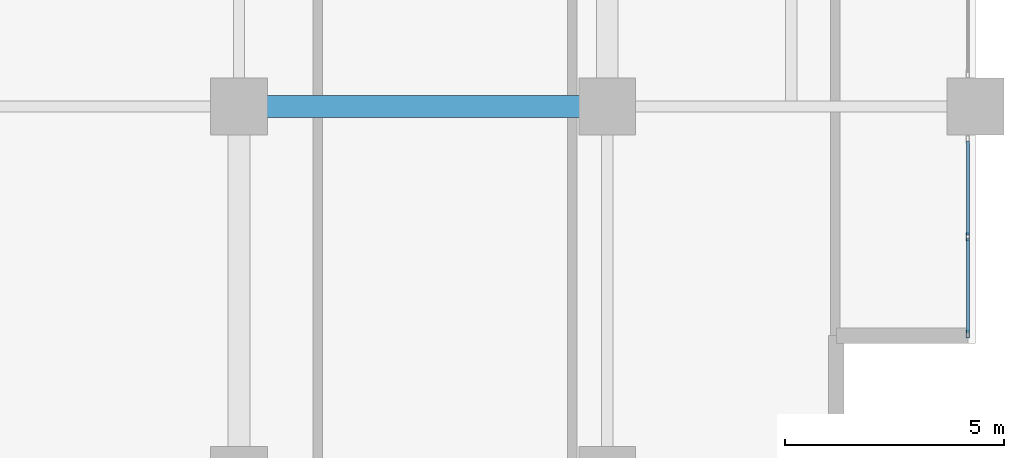
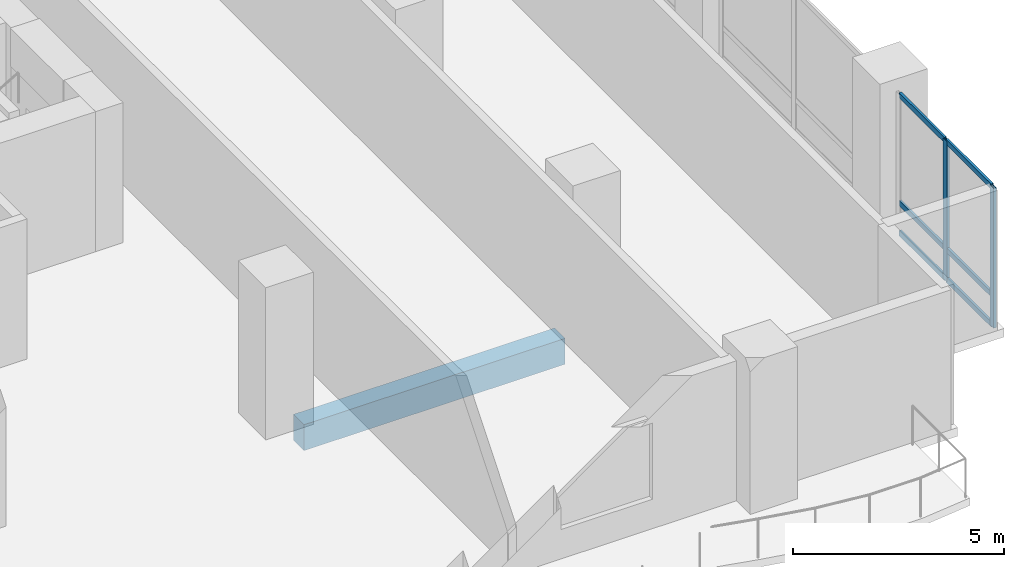
# One storey, part 3 of 24: 8 members, 1 beam, 1 element without a shape of its own.
"""IFC4 building model written with IfcOpenShell, lengths in metres."""

from ifc_helpers import new_model, si_unit, direction, frame, origin, origin_2d, place, context, subcontext, project, spatial, rectangle, hollow_rectangle, extrude, material, layer, layer_set, material_profile, profile_set, type_object, element, aggregate, save


model = new_model("IFC4")

# Units and contexts
model_context = context("Model", 3, precision=1e-05, world=origin(), true_north=direction((0.0, 1.0)))
body_context = subcontext(model_context, "Body", "Model", "MODEL_VIEW")
ifc_project = project(units=[si_unit("LENGTHUNIT", "METRE"), si_unit("AREAUNIT", "SQUARE_METRE"), si_unit("VOLUMEUNIT", "CUBIC_METRE"), si_unit("PLANEANGLEUNIT", "RADIAN"), si_unit("MASSUNIT", "GRAM", prefix="KILO")], contexts=[model_context])

# Site, building, storey
site_placement = place(None, origin())
site = spatial("IfcSite", under=ifc_project, at=site_placement, CompositionType="ELEMENT")
building_placement = place(site_placement, origin())
building = spatial("IfcBuilding", under=site, at=building_placement, Name="Koriwani Terraces Tower", CompositionType="ELEMENT")
storey_placement = place(building_placement, frame((0.0, 0.0, 89.60009765625)))
storey = spatial("IfcBuildingStorey", under=building, at=storey_placement, Name="L21", CompositionType="ELEMENT", Elevation=89.60009765625)

# Beam
ifc_material_1 = material(Name="Concrete C50/60", Category="concrete")
ifc_material_profile_1 = material_profile(ifc_material_1, rectangle(XDim=0.5, YDim=0.75, at=origin_2d()), Name="Concrete C50/60", Category="LoadBearing")
ifc_profile_set_1 = profile_set([ifc_material_profile_1], Name="Concrete C50/60")
beam_type = type_object("IfcBeamType", Name="BEAM_RC_GRID_500X750", PredefinedType="BEAM", material=ifc_profile_set_1)
beam_placement = place(storey_placement, frame((59.429931640625, 8.39990234375, -0.625), z_axis=(1.0, 0.0, 0.0), x_axis=(0.0, 1.0, 0.0)))
element("IfcBeam", 1, at=beam_placement, inside=storey, type_object=beam_type, Name="L21 Grid Beam B (58.8-67.2m)", PredefinedType="BEAM", context=body_context, shape_type="SweptSolid", body=[
    extrude(rectangle(XDim=0.5, YDim=0.75, at=origin_2d()), origin(), (0.0, 0.0, 1.0), 7.14013671875),
])

# Curtain wall, members
ifc_material_2 = material(Name="Anodised Bronze Aluminium", Category="aluminium")
ifc_layer = layer(ifc_material_2, 0.179931640625, Name="Anodised Bronze Aluminium")
ifc_layer_set = layer_set([ifc_layer], Name="Anodised Bronze Aluminium")
curtain_wall_type = type_object("IfcCurtainWallType", Name="CW_HOTEL_ZONE2", PredefinedType="NOTDEFINED", material=ifc_layer_set)
curtain_wall_placement = place(storey_placement, origin())
curtain_wall = element("IfcCurtainWall", 2, at=curtain_wall_placement, inside=storey, type_object=curtain_wall_type, Name="L21 Unitised Curtain Wall (E_TIP) Bay 4", PredefinedType="NOTDEFINED")
ifc_material_profile_2 = material_profile(ifc_material_2, hollow_rectangle(XDim=0.074951171875, YDim=0.179931640625, WallThickness=0.006103515625, at=origin_2d()), Name="Anodised Bronze Aluminium", Category="LoadBearing")
ifc_profile_set_2 = profile_set([ifc_material_profile_2], Name="Anodised Bronze Aluminium")
member_type_1 = type_object("IfcMemberType", Name="CW_MULLION_180X75", PredefinedType="MULLION", material=ifc_profile_set_2)
member_1_placement = place(storey_placement, frame((75.425048828125, 5.4326171875, 0.0), z_axis=(0.0, 0.0, 1.0), x_axis=(1.0, 0.0, 0.0)))
member_1 = element("IfcMember", 3, at=member_1_placement, type_object=member_type_1, Name="CW-Z2 mullion 2", PredefinedType="MULLION", context=body_context, shape_type="SweptSolid", body=[
    extrude(hollow_rectangle(XDim=0.074951171875, YDim=0.179931640625, WallThickness=0.006103515625, at=origin_2d()), origin(), (0.0, 0.0, 1.0), 4.0498046875),
])
member_2_placement = place(storey_placement, frame((75.425048828125, 3.21240234375, 0.0), z_axis=(0.0, 0.0, 1.0), x_axis=(1.0, 0.0, 0.0)))
member_2 = element("IfcMember", 4, at=member_2_placement, type_object=member_type_1, Name="CW-Z2 mullion 3", PredefinedType="MULLION", context=body_context, shape_type="SweptSolid", body=[
    extrude(hollow_rectangle(XDim=0.074951171875, YDim=0.179931640625, WallThickness=0.006103515625, at=origin_2d()), origin(), (0.0, 0.0, 1.0), 4.0498046875),
])
ifc_material_profile_3 = material_profile(ifc_material_2, hollow_rectangle(XDim=0.06494140625, YDim=0.14990234375, WallThickness=0.0048828125, at=origin_2d()), Name="Anodised Bronze Aluminium", Category="LoadBearing")
ifc_profile_set_3 = profile_set([ifc_material_profile_3], Name="Anodised Bronze Aluminium")
member_type_2 = type_object("IfcMemberType", Name="CW_TRANSOM_150X65", PredefinedType="USERDEFINED", material=ifc_profile_set_3)
member_3_placement = place(storey_placement, frame((75.425048828125, 7.614990234375, 0.032470703125), z_axis=(0.0, -1.0, 0.0), x_axis=(1.0, 0.0, 0.0)))
member_3 = element("IfcMember", 5, at=member_3_placement, type_object=member_type_2, Name="CW-Z2 transom 1.1", ObjectType="TRANSOM", PredefinedType="USERDEFINED", context=body_context, shape_type="SweptSolid", body=[
    extrude(hollow_rectangle(XDim=0.06494140625, YDim=0.14990234375, WallThickness=0.0048828125, at=origin_2d()), origin(), (0.0, 0.0, 1.0), 2.14501953125),
])
member_4_placement = place(storey_placement, frame((75.425048828125, 7.614990234375, 0.89990234375), z_axis=(0.0, -1.0, 0.0), x_axis=(1.0, 0.0, 0.0)))
member_4 = element("IfcMember", 6, at=member_4_placement, type_object=member_type_2, Name="CW-Z2 transom 1.2", ObjectType="TRANSOM", PredefinedType="USERDEFINED", context=body_context, shape_type="SweptSolid", body=[
    extrude(hollow_rectangle(XDim=0.06494140625, YDim=0.14990234375, WallThickness=0.0048828125, at=origin_2d()), origin(), (0.0, 0.0, 1.0), 2.14501953125),
])
member_5_placement = place(storey_placement, frame((75.425048828125, 7.614990234375, 4.017333984375), z_axis=(0.0, -1.0, 0.0), x_axis=(1.0, 0.0, 0.0)))
member_5 = element("IfcMember", 7, at=member_5_placement, type_object=member_type_2, Name="CW-Z2 transom 1.3", ObjectType="TRANSOM", PredefinedType="USERDEFINED", context=body_context, shape_type="SweptSolid", body=[
    extrude(hollow_rectangle(XDim=0.06494140625, YDim=0.14990234375, WallThickness=0.0048828125, at=origin_2d()), origin(), (0.0, 0.0, 1.0), 2.14501953125),
])
member_6_placement = place(storey_placement, frame((75.425048828125, 5.39501953125, 0.032470703125), z_axis=(0.0, -1.0, 0.0), x_axis=(1.0, 0.0, 0.0)))
member_6 = element("IfcMember", 8, at=member_6_placement, type_object=member_type_2, Name="CW-Z2 transom 2.1", ObjectType="TRANSOM", PredefinedType="USERDEFINED", context=body_context, shape_type="SweptSolid", body=[
    extrude(hollow_rectangle(XDim=0.06494140625, YDim=0.14990234375, WallThickness=0.0048828125, at=origin_2d()), origin(), (0.0, 0.0, 1.0), 2.14501953125),
])
member_7_placement = place(storey_placement, frame((75.425048828125, 5.39501953125, 0.89990234375), z_axis=(0.0, -1.0, 0.0), x_axis=(1.0, 0.0, 0.0)))
member_7 = element("IfcMember", 9, at=member_7_placement, type_object=member_type_2, Name="CW-Z2 transom 2.2", ObjectType="TRANSOM", PredefinedType="USERDEFINED", context=body_context, shape_type="SweptSolid", body=[
    extrude(hollow_rectangle(XDim=0.06494140625, YDim=0.14990234375, WallThickness=0.0048828125, at=origin_2d()), origin(), (0.0, 0.0, 1.0), 2.14501953125),
])
member_8_placement = place(storey_placement, frame((75.425048828125, 5.39501953125, 4.017333984375), z_axis=(0.0, -1.0, 0.0), x_axis=(1.0, 0.0, 0.0)))
member_8 = element("IfcMember", 10, at=member_8_placement, type_object=member_type_2, Name="CW-Z2 transom 2.3", ObjectType="TRANSOM", PredefinedType="USERDEFINED", context=body_context, shape_type="SweptSolid", body=[
    extrude(hollow_rectangle(XDim=0.06494140625, YDim=0.14990234375, WallThickness=0.0048828125, at=origin_2d()), origin(), (0.0, 0.0, 1.0), 2.14501953125),
])
aggregate(curtain_wall, [member_1, member_2, member_3, member_4, member_5, member_6, member_7, member_8])

save(model, "model.ifc")
